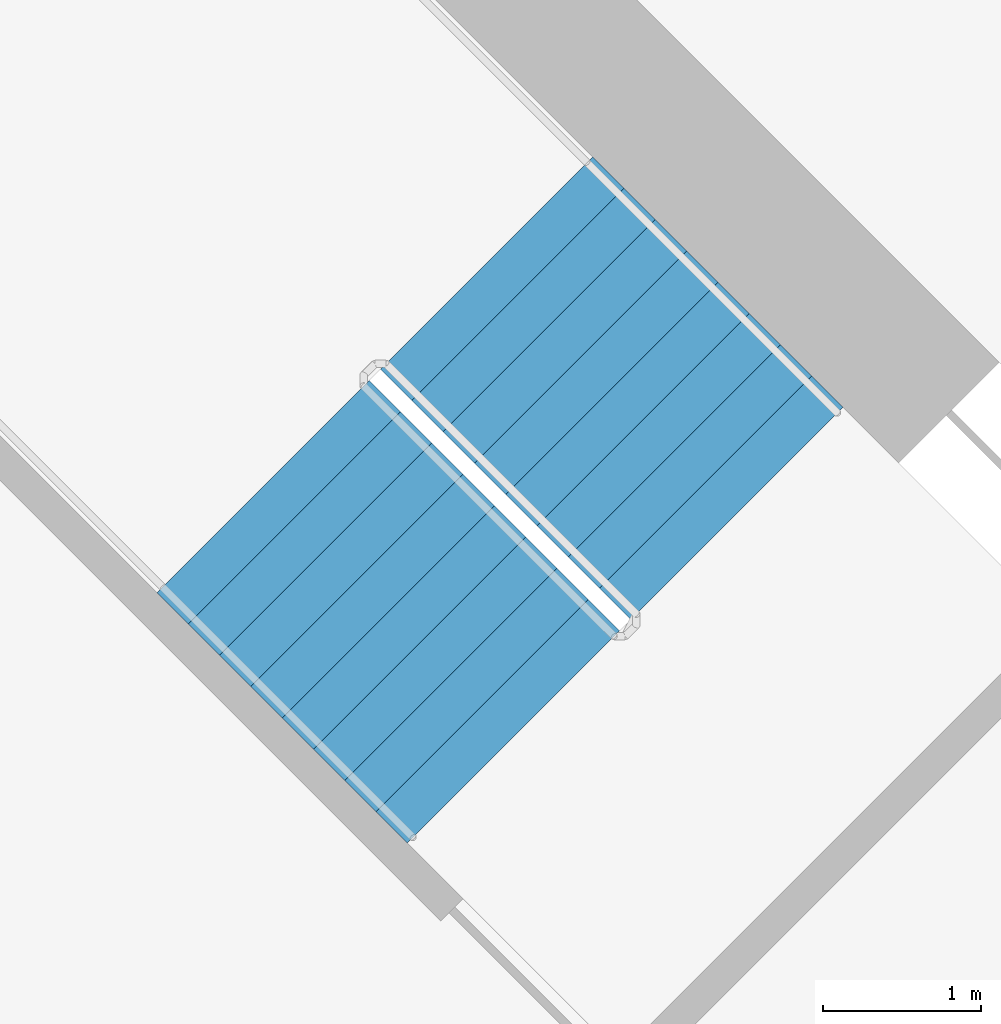
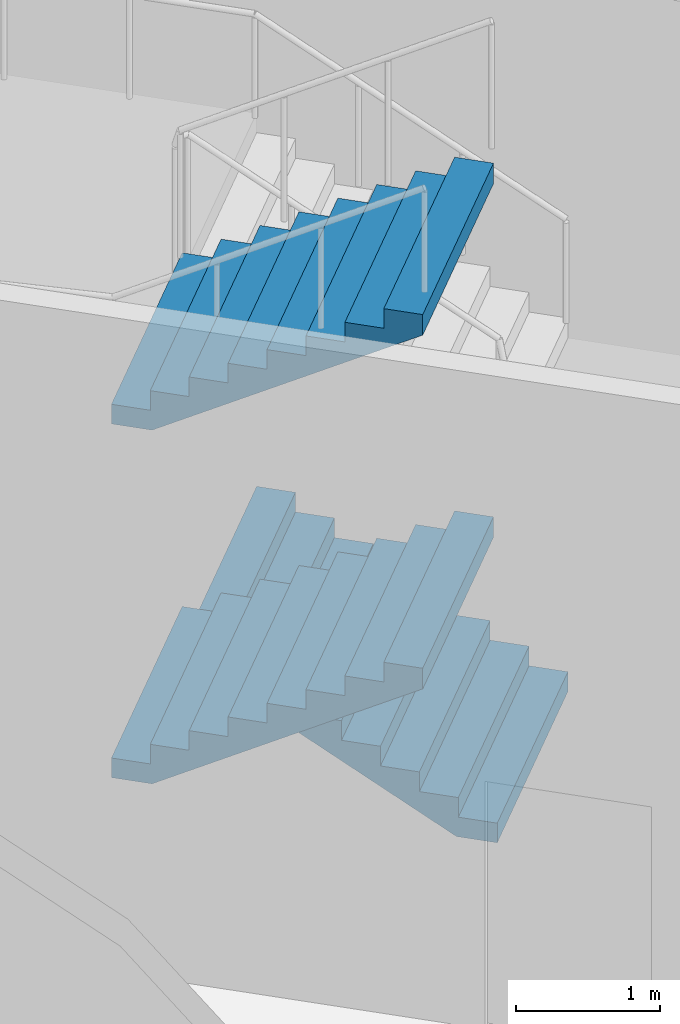
# One storey, part 17 of 29: 3 stair flights, 1 element without a shape of its own.
"""IFC4 building model written with IfcOpenShell, lengths in metres."""

from ifc_helpers import new_model, si_unit, direction, frame, origin, place, context, subcontext, project, spatial, triangles, material, type_object, element, aggregate, save


model = new_model("IFC4")

# Units and contexts
model_context = context("Model", 3, precision=1e-05, world=origin(), true_north=direction((0.0, 1.0)))
body_context = subcontext(model_context, "Body", "Model", "MODEL_VIEW")
ifc_project = project(units=[si_unit("LENGTHUNIT", "METRE"), si_unit("AREAUNIT", "SQUARE_METRE"), si_unit("VOLUMEUNIT", "CUBIC_METRE"), si_unit("PLANEANGLEUNIT", "RADIAN"), si_unit("MASSUNIT", "GRAM", prefix="KILO")], contexts=[model_context])

# Site, building, storey
site_placement = place(None, origin())
site = spatial("IfcSite", under=ifc_project, at=site_placement, CompositionType="ELEMENT")
building_placement = place(site_placement, origin())
building = spatial("IfcBuilding", under=site, at=building_placement, Name="Verdalira Terraces Hotel", CompositionType="ELEMENT")
storey_placement = place(building_placement, frame((0.0, 0.0, 8.0)))
storey = spatial("IfcBuildingStorey", under=building, at=storey_placement, Name="L01", CompositionType="ELEMENT", Elevation=8.0)

# Stair, stair flights
ifc_material_1 = material(Name="Concrete C40", Category="concrete")
stair_type = type_object("IfcStairType", Name="Core stair 36 risers 1900 mm wide", PredefinedType="HALF_TURN_STAIR", material=ifc_material_1)
stair_placement = place(storey_placement, origin())
stair = element("IfcStair", 1, at=stair_placement, inside=storey, type_object=stair_type, Name="L01 Exit stair ST1", PredefinedType="HALF_TURN_STAIR")
ifc_material_2 = material(Name="Concrete C40", Category="concrete")
stair_flight_type = type_object("IfcStairFlightType", Name="Core stair flight 36 risers 1900 mm wide", PredefinedType="STRAIGHT", material=ifc_material_2)
stair_flight_1_placement = place(storey_placement, frame((10.005615, 7.177246, 0.0), z_axis=(0.0, 0.0, 1.0), x_axis=(-0.707106781, 0.707106781, 0.0)))
stair_flight_1 = element("IfcStairFlight", 2, at=stair_flight_1_placement, type_object=stair_flight_type, Name="ST1 flight 1", NumberOfRisers=9, NumberOfTreads=8, PredefinedType="STRAIGHT", RiserHeight=0.166666667, TreadLength=0.28, context=body_context, shape_type="Tessellation", body=[
    triangles([(0.0, 0.949951, 0.0), (0.292969, 0.949951, 0.0), (2.23999, 0.949951, 1.158936), (0.0, -0.949951, 0.0), (0.292969, -0.949951, 0.0), (2.23999, -0.949951, 1.158936), (2.23999, 0.949951, 1.333252), (1.959961, 0.949951, 1.333252), (2.23999, -0.949951, 1.333252), (1.959961, -0.949951, 1.333252), (1.959961, 0.949951, 1.166748), (1.959961, -0.949951, 1.166748), (1.679932, 0.949951, 1.166748), (1.679932, -0.949951, 1.166748), (1.679932, 0.949951, 1.0), (1.679932, -0.949951, 1.0), (1.399902, 0.949951, 1.0), (1.399902, 0.949951, 0.833252), (1.399902, -0.949951, 1.0), (1.399902, -0.949951, 0.833252), (1.120117, 0.949951, 0.833252), (1.120117, 0.949951, 0.666748), (1.120117, -0.949951, 0.833252), (1.120117, -0.949951, 0.666748), (0.840088, 0.949951, 0.666748), (0.840088, 0.949951, 0.5), (0.840088, -0.949951, 0.666748), (0.840088, -0.949951, 0.5), (0.560059, 0.949951, 0.5), (0.560059, 0.949951, 0.333252), (0.560059, -0.949951, 0.5), (0.560059, -0.949951, 0.333252), (0.280029, 0.949951, 0.333252), (0.280029, 0.949951, 0.166748), (0.280029, -0.949951, 0.333252), (0.280029, -0.949951, 0.166748), (0.0, 0.949951, 0.166748), (0.0, -0.949951, 0.166748), (0.0, -0.890579, 0.0), (0.0, -0.890579, 0.166748), (0.0, -0.831207, 0.0), (0.0, -0.831207, 0.166748), (0.0, -0.771835, 0.0), (0.0, -0.771835, 0.166748), (0.0, -0.712463, 0.0), (0.0, -0.712463, 0.166748), (0.0, -0.653091, 0.0), (0.0, -0.653091, 0.166748), (0.0, -0.593719, 0.0), (0.0, -0.593719, 0.166748), (0.0, -0.534348, 0.0), (0.0, -0.534348, 0.166748), (0.0, -0.474976, 0.0), (0.0, -0.474976, 0.166748), (0.0, -0.415604, 0.0), (0.0, -0.415604, 0.166748), (0.0, -0.356232, 0.0), (0.0, -0.356232, 0.166748), (0.0, -0.29686, 0.0), (0.0, -0.29686, 0.166748), (0.0, -0.237488, 0.0), (0.0, -0.237488, 0.166748), (0.0, -0.178116, 0.0), (0.0, -0.178116, 0.166748), (0.0, -0.118744, 0.0), (0.0, -0.118744, 0.166748), (0.0, -0.059372, 0.0), (0.0, -0.059372, 0.166748), (0.0, 0.0, 0.0), (0.0, 0.0, 0.166748), (0.0, 0.059372, 0.0), (0.0, 0.059372, 0.166748), (0.0, 0.118744, 0.0), (0.0, 0.118744, 0.166748), (0.0, 0.178116, 0.0), (0.0, 0.178116, 0.166748), (0.0, 0.237488, 0.0), (0.0, 0.237488, 0.166748), (0.0, 0.29686, 0.0), (0.0, 0.29686, 0.166748), (0.0, 0.356232, 0.0), (0.0, 0.356232, 0.166748), (0.0, 0.415604, 0.0), (0.0, 0.415604, 0.166748), (0.0, 0.474976, 0.0), (0.0, 0.474976, 0.166748), (0.0, 0.534348, 0.0), (0.0, 0.534348, 0.166748), (0.0, 0.593719, 0.0), (0.0, 0.593719, 0.166748), (0.0, 0.653091, 0.0), (0.0, 0.653091, 0.166748), (0.0, 0.712463, 0.0), (0.0, 0.712463, 0.166748), (0.0, 0.771835, 0.0), (0.0, 0.771835, 0.166748), (0.0, 0.831207, 0.0), (0.0, 0.831207, 0.166748), (0.0, 0.890579, 0.0), (0.0, 0.890579, 0.166748), (2.23999, -0.890579, 1.333252), (2.23999, -0.831207, 1.333252), (2.23999, -0.771835, 1.333252), (2.23999, -0.712463, 1.333252), (2.23999, -0.653091, 1.333252), (2.23999, -0.593719, 1.333252), (2.23999, -0.534348, 1.333252), (2.23999, -0.474976, 1.333252), (2.23999, -0.415604, 1.333252), (2.23999, -0.356232, 1.333252), (2.23999, -0.29686, 1.333252), (2.23999, -0.237488, 1.333252), (2.23999, -0.178116, 1.333252), (2.23999, -0.118744, 1.333252), (2.23999, -0.059372, 1.333252), (2.23999, 0.0, 1.333252), (2.23999, 0.059372, 1.333252), (2.23999, 0.118744, 1.333252), (2.23999, 0.178116, 1.333252), (2.23999, 0.237488, 1.333252), (2.23999, 0.29686, 1.333252), (2.23999, 0.356232, 1.333252), (2.23999, 0.415604, 1.333252), (2.23999, 0.474976, 1.333252), (2.23999, 0.534348, 1.333252), (2.23999, 0.593719, 1.333252), (2.23999, 0.653091, 1.333252), (2.23999, 0.712463, 1.333252), (2.23999, 0.771835, 1.333252), (2.23999, 0.831207, 1.333252), (2.23999, 0.890579, 1.333252), (2.23999, -0.890579, 1.158936), (2.23999, -0.831207, 1.158936), (2.23999, -0.771835, 1.158936), (2.23999, -0.712463, 1.158936), (2.23999, -0.653091, 1.158936), (2.23999, -0.593719, 1.158936), (2.23999, -0.534348, 1.158936), (2.23999, -0.474976, 1.158936), (2.23999, -0.415604, 1.158936), (2.23999, -0.356232, 1.158936), (2.23999, -0.29686, 1.158936), (2.23999, -0.237488, 1.158936), (2.23999, -0.178116, 1.158936), (2.23999, -0.118744, 1.158936), (2.23999, -0.059372, 1.158936), (2.23999, 0.0, 1.158936), (2.23999, 0.059372, 1.158936), (2.23999, 0.118744, 1.158936), (2.23999, 0.178116, 1.158936), (2.23999, 0.237488, 1.158936), (2.23999, 0.29686, 1.158936), (2.23999, 0.356232, 1.158936), (2.23999, 0.415604, 1.158936), (2.23999, 0.474976, 1.158936), (2.23999, 0.534348, 1.158936), (2.23999, 0.593719, 1.158936), (2.23999, 0.653091, 1.158936), (2.23999, 0.712463, 1.158936), (2.23999, 0.771835, 1.158936), (2.23999, 0.831207, 1.158936), (2.23999, 0.890579, 1.158936)], [[1, 3, 2], [4, 5, 6], [3, 8, 7], [6, 9, 10], [3, 11, 8], [6, 10, 12], [3, 13, 11], [6, 12, 14], [3, 15, 13], [6, 14, 16], [15, 18, 17], [16, 19, 20], [3, 18, 15], [6, 16, 20], [18, 22, 21], [20, 23, 24], [3, 22, 18], [6, 20, 24], [22, 26, 25], [24, 27, 28], [3, 26, 22], [6, 24, 28], [26, 30, 29], [28, 31, 32], [3, 30, 26], [6, 28, 32], [1, 30, 3], [4, 6, 32], [30, 34, 33], [32, 35, 36], [1, 34, 30], [4, 32, 36], [34, 1, 37], [36, 38, 4], [4, 40, 39], [4, 38, 40], [39, 42, 41], [39, 40, 42], [41, 44, 43], [41, 42, 44], [43, 46, 45], [43, 44, 46], [45, 48, 47], [45, 46, 48], [47, 50, 49], [47, 48, 50], [49, 52, 51], [49, 50, 52], [51, 54, 53], [51, 52, 54], [53, 56, 55], [53, 54, 56], [55, 58, 57], [55, 56, 58], [57, 60, 59], [57, 58, 60], [59, 62, 61], [59, 60, 62], [61, 64, 63], [61, 62, 64], [63, 66, 65], [63, 64, 66], [65, 68, 67], [65, 66, 68], [67, 70, 69], [67, 68, 70], [69, 72, 71], [69, 70, 72], [71, 74, 73], [71, 72, 74], [73, 76, 75], [73, 74, 76], [75, 78, 77], [75, 76, 78], [77, 80, 79], [77, 78, 80], [79, 82, 81], [79, 80, 82], [81, 84, 83], [81, 82, 84], [83, 86, 85], [83, 84, 86], [85, 88, 87], [85, 86, 88], [87, 90, 89], [87, 88, 90], [89, 92, 91], [89, 90, 92], [91, 94, 93], [91, 92, 94], [93, 96, 95], [93, 94, 96], [95, 98, 97], [95, 96, 98], [97, 100, 99], [97, 98, 100], [99, 37, 1], [99, 100, 37], [38, 36, 40], [40, 36, 42], [42, 36, 44], [44, 36, 46], [46, 36, 48], [48, 36, 50], [50, 36, 52], [52, 36, 54], [54, 36, 56], [56, 36, 58], [58, 36, 60], [60, 36, 62], [62, 36, 64], [64, 36, 66], [66, 36, 68], [68, 36, 70], [70, 36, 72], [72, 36, 74], [74, 36, 76], [76, 36, 78], [78, 36, 80], [80, 36, 82], [82, 36, 84], [84, 36, 86], [86, 36, 88], [88, 36, 90], [90, 36, 92], [92, 36, 94], [94, 36, 96], [96, 36, 98], [98, 36, 100], [100, 36, 37], [37, 36, 34], [36, 33, 34], [36, 35, 33], [35, 30, 33], [35, 32, 30], [32, 29, 30], [32, 31, 29], [31, 26, 29], [31, 28, 26], [28, 25, 26], [28, 27, 25], [27, 22, 25], [27, 24, 22], [24, 21, 22], [24, 23, 21], [23, 18, 21], [23, 20, 18], [20, 17, 18], [20, 19, 17], [19, 15, 17], [19, 16, 15], [16, 13, 15], [16, 14, 13], [14, 11, 13], [14, 12, 11], [12, 8, 11], [12, 10, 8], [9, 101, 10], [101, 102, 10], [102, 103, 10], [103, 104, 10], [104, 105, 10], [105, 106, 10], [106, 107, 10], [107, 108, 10], [108, 109, 10], [109, 110, 10], [110, 111, 10], [111, 112, 10], [112, 113, 10], [113, 114, 10], [114, 115, 10], [115, 116, 10], [116, 117, 10], [117, 118, 10], [118, 119, 10], [119, 120, 10], [120, 121, 10], [121, 122, 10], [122, 123, 10], [123, 124, 10], [124, 125, 10], [125, 126, 10], [126, 127, 10], [127, 128, 10], [128, 129, 10], [129, 130, 10], [130, 131, 10], [131, 7, 10], [7, 8, 10], [9, 132, 101], [9, 6, 132], [101, 133, 102], [101, 132, 133], [102, 134, 103], [102, 133, 134], [103, 135, 104], [103, 134, 135], [104, 136, 105], [104, 135, 136], [105, 137, 106], [105, 136, 137], [106, 138, 107], [106, 137, 138], [107, 139, 108], [107, 138, 139], [108, 140, 109], [108, 139, 140], [109, 141, 110], [109, 140, 141], [110, 142, 111], [110, 141, 142], [111, 143, 112], [111, 142, 143], [112, 144, 113], [112, 143, 144], [113, 145, 114], [113, 144, 145], [114, 146, 115], [114, 145, 146], [115, 147, 116], [115, 146, 147], [116, 148, 117], [116, 147, 148], [117, 149, 118], [117, 148, 149], [118, 150, 119], [118, 149, 150], [119, 151, 120], [119, 150, 151], [120, 152, 121], [120, 151, 152], [121, 153, 122], [121, 152, 153], [122, 154, 123], [122, 153, 154], [123, 155, 124], [123, 154, 155], [124, 156, 125], [124, 155, 156], [125, 157, 126], [125, 156, 157], [126, 158, 127], [126, 157, 158], [127, 159, 128], [127, 158, 159], [128, 160, 129], [128, 159, 160], [129, 161, 130], [129, 160, 161], [130, 162, 131], [130, 161, 162], [131, 3, 7], [131, 162, 3], [6, 5, 132], [132, 5, 133], [133, 5, 134], [134, 5, 135], [135, 5, 136], [136, 5, 137], [137, 5, 138], [138, 5, 139], [139, 5, 140], [140, 5, 141], [141, 5, 142], [142, 5, 143], [143, 5, 144], [144, 5, 145], [145, 5, 146], [146, 5, 147], [147, 5, 148], [148, 5, 149], [149, 5, 150], [150, 5, 151], [151, 5, 152], [152, 5, 153], [153, 5, 154], [154, 5, 155], [155, 5, 156], [156, 5, 157], [157, 5, 158], [158, 5, 159], [159, 5, 160], [160, 5, 161], [161, 5, 162], [162, 5, 3], [3, 5, 2], [4, 39, 5], [39, 41, 5], [41, 43, 5], [43, 45, 5], [45, 47, 5], [47, 49, 5], [49, 51, 5], [51, 53, 5], [53, 55, 5], [55, 57, 5], [57, 59, 5], [59, 61, 5], [61, 63, 5], [63, 65, 5], [65, 67, 5], [67, 69, 5], [69, 71, 5], [71, 73, 5], [73, 75, 5], [75, 77, 5], [77, 79, 5], [79, 81, 5], [81, 83, 5], [83, 85, 5], [85, 87, 5], [87, 89, 5], [89, 91, 5], [91, 93, 5], [93, 95, 5], [95, 97, 5], [97, 99, 5], [99, 1, 5], [1, 2, 5]], closed=True),
])
stair_flight_2_placement = place(storey_placement, frame((7.007324, 7.346924, 1.5), z_axis=(0.0, 0.0, 1.0), x_axis=(0.707106781, -0.707106781, 0.0)))
stair_flight_2 = element("IfcStairFlight", 3, at=stair_flight_2_placement, type_object=stair_flight_type, Name="ST1 flight 2", NumberOfRisers=9, NumberOfTreads=8, PredefinedType="STRAIGHT", RiserHeight=0.166666667, TreadLength=0.28, context=body_context, shape_type="Tessellation", body=[
    triangles([(0.0, 0.949951, 0.0), (0.292969, 0.949951, 0.0), (2.23999, 0.949951, 1.158936), (0.0, -0.949951, 0.0), (0.292969, -0.949951, 0.0), (2.23999, -0.949951, 1.158936), (2.23999, 0.949951, 1.333252), (1.959961, 0.949951, 1.333252), (2.23999, -0.949951, 1.333252), (1.959961, -0.949951, 1.333252), (1.959961, 0.949951, 1.166748), (1.959961, -0.949951, 1.166748), (1.679932, 0.949951, 1.166748), (1.679932, -0.949951, 1.166748), (1.679932, 0.949951, 1.0), (1.679932, -0.949951, 1.0), (1.399902, 0.949951, 1.0), (1.399902, 0.949951, 0.833252), (1.399902, -0.949951, 1.0), (1.399902, -0.949951, 0.833252), (1.120117, 0.949951, 0.833252), (1.120117, 0.949951, 0.666748), (1.120117, -0.949951, 0.833252), (1.120117, -0.949951, 0.666748), (0.840088, 0.949951, 0.666748), (0.840088, 0.949951, 0.5), (0.840088, -0.949951, 0.666748), (0.840088, -0.949951, 0.5), (0.560059, 0.949951, 0.5), (0.560059, 0.949951, 0.333252), (0.560059, -0.949951, 0.5), (0.560059, -0.949951, 0.333252), (0.280029, 0.949951, 0.333252), (0.280029, 0.949951, 0.166748), (0.280029, -0.949951, 0.333252), (0.280029, -0.949951, 0.166748), (0.0, 0.949951, 0.166748), (0.0, -0.949951, 0.166748), (0.0, -0.890579, 0.0), (0.0, -0.890579, 0.166748), (0.0, -0.831207, 0.0), (0.0, -0.831207, 0.166748), (0.0, -0.771835, 0.0), (0.0, -0.771835, 0.166748), (0.0, -0.712463, 0.0), (0.0, -0.712463, 0.166748), (0.0, -0.653091, 0.0), (0.0, -0.653091, 0.166748), (0.0, -0.593719, 0.0), (0.0, -0.593719, 0.166748), (0.0, -0.534348, 0.0), (0.0, -0.534348, 0.166748), (0.0, -0.474976, 0.0), (0.0, -0.474976, 0.166748), (0.0, -0.415604, 0.0), (0.0, -0.415604, 0.166748), (0.0, -0.356232, 0.0), (0.0, -0.356232, 0.166748), (0.0, -0.29686, 0.0), (0.0, -0.29686, 0.166748), (0.0, -0.237488, 0.0), (0.0, -0.237488, 0.166748), (0.0, -0.178116, 0.0), (0.0, -0.178116, 0.166748), (0.0, -0.118744, 0.0), (0.0, -0.118744, 0.166748), (0.0, -0.059372, 0.0), (0.0, -0.059372, 0.166748), (0.0, 0.0, 0.0), (0.0, 0.0, 0.166748), (0.0, 0.059372, 0.0), (0.0, 0.059372, 0.166748), (0.0, 0.118744, 0.0), (0.0, 0.118744, 0.166748), (0.0, 0.178116, 0.0), (0.0, 0.178116, 0.166748), (0.0, 0.237488, 0.0), (0.0, 0.237488, 0.166748), (0.0, 0.29686, 0.0), (0.0, 0.29686, 0.166748), (0.0, 0.356232, 0.0), (0.0, 0.356232, 0.166748), (0.0, 0.415604, 0.0), (0.0, 0.415604, 0.166748), (0.0, 0.474976, 0.0), (0.0, 0.474976, 0.166748), (0.0, 0.534348, 0.0), (0.0, 0.534348, 0.166748), (0.0, 0.593719, 0.0), (0.0, 0.593719, 0.166748), (0.0, 0.653091, 0.0), (0.0, 0.653091, 0.166748), (0.0, 0.712463, 0.0), (0.0, 0.712463, 0.166748), (0.0, 0.771835, 0.0), (0.0, 0.771835, 0.166748), (0.0, 0.831207, 0.0), (0.0, 0.831207, 0.166748), (0.0, 0.890579, 0.0), (0.0, 0.890579, 0.166748), (2.23999, -0.890579, 1.333252), (2.23999, -0.831207, 1.333252), (2.23999, -0.771835, 1.333252), (2.23999, -0.712463, 1.333252), (2.23999, -0.653091, 1.333252), (2.23999, -0.593719, 1.333252), (2.23999, -0.534348, 1.333252), (2.23999, -0.474976, 1.333252), (2.23999, -0.415604, 1.333252), (2.23999, -0.356232, 1.333252), (2.23999, -0.29686, 1.333252), (2.23999, -0.237488, 1.333252), (2.23999, -0.178116, 1.333252), (2.23999, -0.118744, 1.333252), (2.23999, -0.059372, 1.333252), (2.23999, 0.0, 1.333252), (2.23999, 0.059372, 1.333252), (2.23999, 0.118744, 1.333252), (2.23999, 0.178116, 1.333252), (2.23999, 0.237488, 1.333252), (2.23999, 0.29686, 1.333252), (2.23999, 0.356232, 1.333252), (2.23999, 0.415604, 1.333252), (2.23999, 0.474976, 1.333252), (2.23999, 0.534348, 1.333252), (2.23999, 0.593719, 1.333252), (2.23999, 0.653091, 1.333252), (2.23999, 0.712463, 1.333252), (2.23999, 0.771835, 1.333252), (2.23999, 0.831207, 1.333252), (2.23999, 0.890579, 1.333252), (2.23999, -0.890579, 1.158936), (2.23999, -0.831207, 1.158936), (2.23999, -0.771835, 1.158936), (2.23999, -0.712463, 1.158936), (2.23999, -0.653091, 1.158936), (2.23999, -0.593719, 1.158936), (2.23999, -0.534348, 1.158936), (2.23999, -0.474976, 1.158936), (2.23999, -0.415604, 1.158936), (2.23999, -0.356232, 1.158936), (2.23999, -0.29686, 1.158936), (2.23999, -0.237488, 1.158936), (2.23999, -0.178116, 1.158936), (2.23999, -0.118744, 1.158936), (2.23999, -0.059372, 1.158936), (2.23999, 0.0, 1.158936), (2.23999, 0.059372, 1.158936), (2.23999, 0.118744, 1.158936), (2.23999, 0.178116, 1.158936), (2.23999, 0.237488, 1.158936), (2.23999, 0.29686, 1.158936), (2.23999, 0.356232, 1.158936), (2.23999, 0.415604, 1.158936), (2.23999, 0.474976, 1.158936), (2.23999, 0.534348, 1.158936), (2.23999, 0.593719, 1.158936), (2.23999, 0.653091, 1.158936), (2.23999, 0.712463, 1.158936), (2.23999, 0.771835, 1.158936), (2.23999, 0.831207, 1.158936), (2.23999, 0.890579, 1.158936)], [[1, 3, 2], [4, 5, 6], [3, 8, 7], [6, 9, 10], [3, 11, 8], [6, 10, 12], [3, 13, 11], [6, 12, 14], [3, 15, 13], [6, 14, 16], [15, 18, 17], [16, 19, 20], [3, 18, 15], [6, 16, 20], [18, 22, 21], [20, 23, 24], [3, 22, 18], [6, 20, 24], [22, 26, 25], [24, 27, 28], [3, 26, 22], [6, 24, 28], [26, 30, 29], [28, 31, 32], [3, 30, 26], [6, 28, 32], [1, 30, 3], [4, 6, 32], [30, 34, 33], [32, 35, 36], [1, 34, 30], [4, 32, 36], [34, 1, 37], [36, 38, 4], [4, 40, 39], [4, 38, 40], [39, 42, 41], [39, 40, 42], [41, 44, 43], [41, 42, 44], [43, 46, 45], [43, 44, 46], [45, 48, 47], [45, 46, 48], [47, 50, 49], [47, 48, 50], [49, 52, 51], [49, 50, 52], [51, 54, 53], [51, 52, 54], [53, 56, 55], [53, 54, 56], [55, 58, 57], [55, 56, 58], [57, 60, 59], [57, 58, 60], [59, 62, 61], [59, 60, 62], [61, 64, 63], [61, 62, 64], [63, 66, 65], [63, 64, 66], [65, 68, 67], [65, 66, 68], [67, 70, 69], [67, 68, 70], [69, 72, 71], [69, 70, 72], [71, 74, 73], [71, 72, 74], [73, 76, 75], [73, 74, 76], [75, 78, 77], [75, 76, 78], [77, 80, 79], [77, 78, 80], [79, 82, 81], [79, 80, 82], [81, 84, 83], [81, 82, 84], [83, 86, 85], [83, 84, 86], [85, 88, 87], [85, 86, 88], [87, 90, 89], [87, 88, 90], [89, 92, 91], [89, 90, 92], [91, 94, 93], [91, 92, 94], [93, 96, 95], [93, 94, 96], [95, 98, 97], [95, 96, 98], [97, 100, 99], [97, 98, 100], [99, 37, 1], [99, 100, 37], [38, 36, 40], [40, 36, 42], [42, 36, 44], [44, 36, 46], [46, 36, 48], [48, 36, 50], [50, 36, 52], [52, 36, 54], [54, 36, 56], [56, 36, 58], [58, 36, 60], [60, 36, 62], [62, 36, 64], [64, 36, 66], [66, 36, 68], [68, 36, 70], [70, 36, 72], [72, 36, 74], [74, 36, 76], [76, 36, 78], [78, 36, 80], [80, 36, 82], [82, 36, 84], [84, 36, 86], [86, 36, 88], [88, 36, 90], [90, 36, 92], [92, 36, 94], [94, 36, 96], [96, 36, 98], [98, 36, 100], [100, 36, 37], [37, 36, 34], [36, 33, 34], [36, 35, 33], [35, 30, 33], [35, 32, 30], [32, 29, 30], [32, 31, 29], [31, 26, 29], [31, 28, 26], [28, 25, 26], [28, 27, 25], [27, 22, 25], [27, 24, 22], [24, 21, 22], [24, 23, 21], [23, 18, 21], [23, 20, 18], [20, 17, 18], [20, 19, 17], [19, 15, 17], [19, 16, 15], [16, 13, 15], [16, 14, 13], [14, 11, 13], [14, 12, 11], [12, 8, 11], [12, 10, 8], [9, 101, 10], [101, 102, 10], [102, 103, 10], [103, 104, 10], [104, 105, 10], [105, 106, 10], [106, 107, 10], [107, 108, 10], [108, 109, 10], [109, 110, 10], [110, 111, 10], [111, 112, 10], [112, 113, 10], [113, 114, 10], [114, 115, 10], [115, 116, 10], [116, 117, 10], [117, 118, 10], [118, 119, 10], [119, 120, 10], [120, 121, 10], [121, 122, 10], [122, 123, 10], [123, 124, 10], [124, 125, 10], [125, 126, 10], [126, 127, 10], [127, 128, 10], [128, 129, 10], [129, 130, 10], [130, 131, 10], [131, 7, 10], [7, 8, 10], [9, 132, 101], [9, 6, 132], [101, 133, 102], [101, 132, 133], [102, 134, 103], [102, 133, 134], [103, 135, 104], [103, 134, 135], [104, 136, 105], [104, 135, 136], [105, 137, 106], [105, 136, 137], [106, 138, 107], [106, 137, 138], [107, 139, 108], [107, 138, 139], [108, 140, 109], [108, 139, 140], [109, 141, 110], [109, 140, 141], [110, 142, 111], [110, 141, 142], [111, 143, 112], [111, 142, 143], [112, 144, 113], [112, 143, 144], [113, 145, 114], [113, 144, 145], [114, 146, 115], [114, 145, 146], [115, 147, 116], [115, 146, 147], [116, 148, 117], [116, 147, 148], [117, 149, 118], [117, 148, 149], [118, 150, 119], [118, 149, 150], [119, 151, 120], [119, 150, 151], [120, 152, 121], [120, 151, 152], [121, 153, 122], [121, 152, 153], [122, 154, 123], [122, 153, 154], [123, 155, 124], [123, 154, 155], [124, 156, 125], [124, 155, 156], [125, 157, 126], [125, 156, 157], [126, 158, 127], [126, 157, 158], [127, 159, 128], [127, 158, 159], [128, 160, 129], [128, 159, 160], [129, 161, 130], [129, 160, 161], [130, 162, 131], [130, 161, 162], [131, 3, 7], [131, 162, 3], [6, 5, 132], [132, 5, 133], [133, 5, 134], [134, 5, 135], [135, 5, 136], [136, 5, 137], [137, 5, 138], [138, 5, 139], [139, 5, 140], [140, 5, 141], [141, 5, 142], [142, 5, 143], [143, 5, 144], [144, 5, 145], [145, 5, 146], [146, 5, 147], [147, 5, 148], [148, 5, 149], [149, 5, 150], [150, 5, 151], [151, 5, 152], [152, 5, 153], [153, 5, 154], [154, 5, 155], [155, 5, 156], [156, 5, 157], [157, 5, 158], [158, 5, 159], [159, 5, 160], [160, 5, 161], [161, 5, 162], [162, 5, 3], [3, 5, 2], [4, 39, 5], [39, 41, 5], [41, 43, 5], [43, 45, 5], [45, 47, 5], [47, 49, 5], [49, 51, 5], [51, 53, 5], [53, 55, 5], [55, 57, 5], [57, 59, 5], [59, 61, 5], [61, 63, 5], [63, 65, 5], [65, 67, 5], [67, 69, 5], [69, 71, 5], [71, 73, 5], [73, 75, 5], [75, 77, 5], [77, 79, 5], [79, 81, 5], [81, 83, 5], [83, 85, 5], [85, 87, 5], [87, 89, 5], [89, 91, 5], [91, 93, 5], [93, 95, 5], [95, 97, 5], [97, 99, 5], [99, 1, 5], [1, 2, 5]], closed=True),
])
stair_flight_3_placement = place(storey_placement, frame((7.007324, 7.346924, 4.5), z_axis=(0.0, 0.0, 1.0), x_axis=(0.707106781, -0.707106781, 0.0)))
stair_flight_3 = element("IfcStairFlight", 4, at=stair_flight_3_placement, type_object=stair_flight_type, Name="ST1 flight 4", NumberOfRisers=9, NumberOfTreads=8, PredefinedType="STRAIGHT", RiserHeight=0.166666667, TreadLength=0.28, context=body_context, shape_type="Tessellation", body=[
    triangles([(0.0, 0.949951, 0.0), (0.292969, 0.949951, 0.0), (2.23999, 0.949951, 1.158936), (0.0, -0.949951, 0.0), (0.292969, -0.949951, 0.0), (2.23999, -0.949951, 1.158936), (2.23999, 0.949951, 1.333252), (1.959961, 0.949951, 1.333252), (2.23999, -0.949951, 1.333252), (1.959961, -0.949951, 1.333252), (1.959961, 0.949951, 1.166748), (1.959961, -0.949951, 1.166748), (1.679932, 0.949951, 1.166748), (1.679932, -0.949951, 1.166748), (1.679932, 0.949951, 1.0), (1.679932, -0.949951, 1.0), (1.399902, 0.949951, 1.0), (1.399902, 0.949951, 0.833252), (1.399902, -0.949951, 1.0), (1.399902, -0.949951, 0.833252), (1.120117, 0.949951, 0.833252), (1.120117, 0.949951, 0.666748), (1.120117, -0.949951, 0.833252), (1.120117, -0.949951, 0.666748), (0.840088, 0.949951, 0.666748), (0.840088, 0.949951, 0.5), (0.840088, -0.949951, 0.666748), (0.840088, -0.949951, 0.5), (0.560059, 0.949951, 0.5), (0.560059, 0.949951, 0.333252), (0.560059, -0.949951, 0.5), (0.560059, -0.949951, 0.333252), (0.280029, 0.949951, 0.333252), (0.280029, 0.949951, 0.166748), (0.280029, -0.949951, 0.333252), (0.280029, -0.949951, 0.166748), (0.0, 0.949951, 0.166748), (0.0, -0.949951, 0.166748), (0.0, -0.890579, 0.0), (0.0, -0.890579, 0.166748), (0.0, -0.831207, 0.0), (0.0, -0.831207, 0.166748), (0.0, -0.771835, 0.0), (0.0, -0.771835, 0.166748), (0.0, -0.712463, 0.0), (0.0, -0.712463, 0.166748), (0.0, -0.653091, 0.0), (0.0, -0.653091, 0.166748), (0.0, -0.593719, 0.0), (0.0, -0.593719, 0.166748), (0.0, -0.534348, 0.0), (0.0, -0.534348, 0.166748), (0.0, -0.474976, 0.0), (0.0, -0.474976, 0.166748), (0.0, -0.415604, 0.0), (0.0, -0.415604, 0.166748), (0.0, -0.356232, 0.0), (0.0, -0.356232, 0.166748), (0.0, -0.29686, 0.0), (0.0, -0.29686, 0.166748), (0.0, -0.237488, 0.0), (0.0, -0.237488, 0.166748), (0.0, -0.178116, 0.0), (0.0, -0.178116, 0.166748), (0.0, -0.118744, 0.0), (0.0, -0.118744, 0.166748), (0.0, -0.059372, 0.0), (0.0, -0.059372, 0.166748), (0.0, 0.0, 0.0), (0.0, 0.0, 0.166748), (0.0, 0.059372, 0.0), (0.0, 0.059372, 0.166748), (0.0, 0.118744, 0.0), (0.0, 0.118744, 0.166748), (0.0, 0.178116, 0.0), (0.0, 0.178116, 0.166748), (0.0, 0.237488, 0.0), (0.0, 0.237488, 0.166748), (0.0, 0.29686, 0.0), (0.0, 0.29686, 0.166748), (0.0, 0.356232, 0.0), (0.0, 0.356232, 0.166748), (0.0, 0.415604, 0.0), (0.0, 0.415604, 0.166748), (0.0, 0.474976, 0.0), (0.0, 0.474976, 0.166748), (0.0, 0.534348, 0.0), (0.0, 0.534348, 0.166748), (0.0, 0.593719, 0.0), (0.0, 0.593719, 0.166748), (0.0, 0.653091, 0.0), (0.0, 0.653091, 0.166748), (0.0, 0.712463, 0.0), (0.0, 0.712463, 0.166748), (0.0, 0.771835, 0.0), (0.0, 0.771835, 0.166748), (0.0, 0.831207, 0.0), (0.0, 0.831207, 0.166748), (0.0, 0.890579, 0.0), (0.0, 0.890579, 0.166748), (2.23999, -0.890579, 1.333252), (2.23999, -0.831207, 1.333252), (2.23999, -0.771835, 1.333252), (2.23999, -0.712463, 1.333252), (2.23999, -0.653091, 1.333252), (2.23999, -0.593719, 1.333252), (2.23999, -0.534348, 1.333252), (2.23999, -0.474976, 1.333252), (2.23999, -0.415604, 1.333252), (2.23999, -0.356232, 1.333252), (2.23999, -0.29686, 1.333252), (2.23999, -0.237488, 1.333252), (2.23999, -0.178116, 1.333252), (2.23999, -0.118744, 1.333252), (2.23999, -0.059372, 1.333252), (2.23999, 0.0, 1.333252), (2.23999, 0.059372, 1.333252), (2.23999, 0.118744, 1.333252), (2.23999, 0.178116, 1.333252), (2.23999, 0.237488, 1.333252), (2.23999, 0.29686, 1.333252), (2.23999, 0.356232, 1.333252), (2.23999, 0.415604, 1.333252), (2.23999, 0.474976, 1.333252), (2.23999, 0.534348, 1.333252), (2.23999, 0.593719, 1.333252), (2.23999, 0.653091, 1.333252), (2.23999, 0.712463, 1.333252), (2.23999, 0.771835, 1.333252), (2.23999, 0.831207, 1.333252), (2.23999, 0.890579, 1.333252), (2.23999, -0.890579, 1.158936), (2.23999, -0.831207, 1.158936), (2.23999, -0.771835, 1.158936), (2.23999, -0.712463, 1.158936), (2.23999, -0.653091, 1.158936), (2.23999, -0.593719, 1.158936), (2.23999, -0.534348, 1.158936), (2.23999, -0.474976, 1.158936), (2.23999, -0.415604, 1.158936), (2.23999, -0.356232, 1.158936), (2.23999, -0.29686, 1.158936), (2.23999, -0.237488, 1.158936), (2.23999, -0.178116, 1.158936), (2.23999, -0.118744, 1.158936), (2.23999, -0.059372, 1.158936), (2.23999, 0.0, 1.158936), (2.23999, 0.059372, 1.158936), (2.23999, 0.118744, 1.158936), (2.23999, 0.178116, 1.158936), (2.23999, 0.237488, 1.158936), (2.23999, 0.29686, 1.158936), (2.23999, 0.356232, 1.158936), (2.23999, 0.415604, 1.158936), (2.23999, 0.474976, 1.158936), (2.23999, 0.534348, 1.158936), (2.23999, 0.593719, 1.158936), (2.23999, 0.653091, 1.158936), (2.23999, 0.712463, 1.158936), (2.23999, 0.771835, 1.158936), (2.23999, 0.831207, 1.158936), (2.23999, 0.890579, 1.158936)], [[1, 3, 2], [4, 5, 6], [3, 8, 7], [6, 9, 10], [3, 11, 8], [6, 10, 12], [3, 13, 11], [6, 12, 14], [3, 15, 13], [6, 14, 16], [15, 18, 17], [16, 19, 20], [3, 18, 15], [6, 16, 20], [18, 22, 21], [20, 23, 24], [3, 22, 18], [6, 20, 24], [22, 26, 25], [24, 27, 28], [3, 26, 22], [6, 24, 28], [26, 30, 29], [28, 31, 32], [3, 30, 26], [6, 28, 32], [1, 30, 3], [4, 6, 32], [30, 34, 33], [32, 35, 36], [1, 34, 30], [4, 32, 36], [34, 1, 37], [36, 38, 4], [4, 40, 39], [4, 38, 40], [39, 42, 41], [39, 40, 42], [41, 44, 43], [41, 42, 44], [43, 46, 45], [43, 44, 46], [45, 48, 47], [45, 46, 48], [47, 50, 49], [47, 48, 50], [49, 52, 51], [49, 50, 52], [51, 54, 53], [51, 52, 54], [53, 56, 55], [53, 54, 56], [55, 58, 57], [55, 56, 58], [57, 60, 59], [57, 58, 60], [59, 62, 61], [59, 60, 62], [61, 64, 63], [61, 62, 64], [63, 66, 65], [63, 64, 66], [65, 68, 67], [65, 66, 68], [67, 70, 69], [67, 68, 70], [69, 72, 71], [69, 70, 72], [71, 74, 73], [71, 72, 74], [73, 76, 75], [73, 74, 76], [75, 78, 77], [75, 76, 78], [77, 80, 79], [77, 78, 80], [79, 82, 81], [79, 80, 82], [81, 84, 83], [81, 82, 84], [83, 86, 85], [83, 84, 86], [85, 88, 87], [85, 86, 88], [87, 90, 89], [87, 88, 90], [89, 92, 91], [89, 90, 92], [91, 94, 93], [91, 92, 94], [93, 96, 95], [93, 94, 96], [95, 98, 97], [95, 96, 98], [97, 100, 99], [97, 98, 100], [99, 37, 1], [99, 100, 37], [38, 36, 40], [40, 36, 42], [42, 36, 44], [44, 36, 46], [46, 36, 48], [48, 36, 50], [50, 36, 52], [52, 36, 54], [54, 36, 56], [56, 36, 58], [58, 36, 60], [60, 36, 62], [62, 36, 64], [64, 36, 66], [66, 36, 68], [68, 36, 70], [70, 36, 72], [72, 36, 74], [74, 36, 76], [76, 36, 78], [78, 36, 80], [80, 36, 82], [82, 36, 84], [84, 36, 86], [86, 36, 88], [88, 36, 90], [90, 36, 92], [92, 36, 94], [94, 36, 96], [96, 36, 98], [98, 36, 100], [100, 36, 37], [37, 36, 34], [36, 33, 34], [36, 35, 33], [35, 30, 33], [35, 32, 30], [32, 29, 30], [32, 31, 29], [31, 26, 29], [31, 28, 26], [28, 25, 26], [28, 27, 25], [27, 22, 25], [27, 24, 22], [24, 21, 22], [24, 23, 21], [23, 18, 21], [23, 20, 18], [20, 17, 18], [20, 19, 17], [19, 15, 17], [19, 16, 15], [16, 13, 15], [16, 14, 13], [14, 11, 13], [14, 12, 11], [12, 8, 11], [12, 10, 8], [9, 101, 10], [101, 102, 10], [102, 103, 10], [103, 104, 10], [104, 105, 10], [105, 106, 10], [106, 107, 10], [107, 108, 10], [108, 109, 10], [109, 110, 10], [110, 111, 10], [111, 112, 10], [112, 113, 10], [113, 114, 10], [114, 115, 10], [115, 116, 10], [116, 117, 10], [117, 118, 10], [118, 119, 10], [119, 120, 10], [120, 121, 10], [121, 122, 10], [122, 123, 10], [123, 124, 10], [124, 125, 10], [125, 126, 10], [126, 127, 10], [127, 128, 10], [128, 129, 10], [129, 130, 10], [130, 131, 10], [131, 7, 10], [7, 8, 10], [9, 132, 101], [9, 6, 132], [101, 133, 102], [101, 132, 133], [102, 134, 103], [102, 133, 134], [103, 135, 104], [103, 134, 135], [104, 136, 105], [104, 135, 136], [105, 137, 106], [105, 136, 137], [106, 138, 107], [106, 137, 138], [107, 139, 108], [107, 138, 139], [108, 140, 109], [108, 139, 140], [109, 141, 110], [109, 140, 141], [110, 142, 111], [110, 141, 142], [111, 143, 112], [111, 142, 143], [112, 144, 113], [112, 143, 144], [113, 145, 114], [113, 144, 145], [114, 146, 115], [114, 145, 146], [115, 147, 116], [115, 146, 147], [116, 148, 117], [116, 147, 148], [117, 149, 118], [117, 148, 149], [118, 150, 119], [118, 149, 150], [119, 151, 120], [119, 150, 151], [120, 152, 121], [120, 151, 152], [121, 153, 122], [121, 152, 153], [122, 154, 123], [122, 153, 154], [123, 155, 124], [123, 154, 155], [124, 156, 125], [124, 155, 156], [125, 157, 126], [125, 156, 157], [126, 158, 127], [126, 157, 158], [127, 159, 128], [127, 158, 159], [128, 160, 129], [128, 159, 160], [129, 161, 130], [129, 160, 161], [130, 162, 131], [130, 161, 162], [131, 3, 7], [131, 162, 3], [6, 5, 132], [132, 5, 133], [133, 5, 134], [134, 5, 135], [135, 5, 136], [136, 5, 137], [137, 5, 138], [138, 5, 139], [139, 5, 140], [140, 5, 141], [141, 5, 142], [142, 5, 143], [143, 5, 144], [144, 5, 145], [145, 5, 146], [146, 5, 147], [147, 5, 148], [148, 5, 149], [149, 5, 150], [150, 5, 151], [151, 5, 152], [152, 5, 153], [153, 5, 154], [154, 5, 155], [155, 5, 156], [156, 5, 157], [157, 5, 158], [158, 5, 159], [159, 5, 160], [160, 5, 161], [161, 5, 162], [162, 5, 3], [3, 5, 2], [4, 39, 5], [39, 41, 5], [41, 43, 5], [43, 45, 5], [45, 47, 5], [47, 49, 5], [49, 51, 5], [51, 53, 5], [53, 55, 5], [55, 57, 5], [57, 59, 5], [59, 61, 5], [61, 63, 5], [63, 65, 5], [65, 67, 5], [67, 69, 5], [69, 71, 5], [71, 73, 5], [73, 75, 5], [75, 77, 5], [77, 79, 5], [79, 81, 5], [81, 83, 5], [83, 85, 5], [85, 87, 5], [87, 89, 5], [89, 91, 5], [91, 93, 5], [93, 95, 5], [95, 97, 5], [97, 99, 5], [99, 1, 5], [1, 2, 5]], closed=True),
])
aggregate(stair, [stair_flight_1, stair_flight_2, stair_flight_3])

save(model, "model.ifc")
